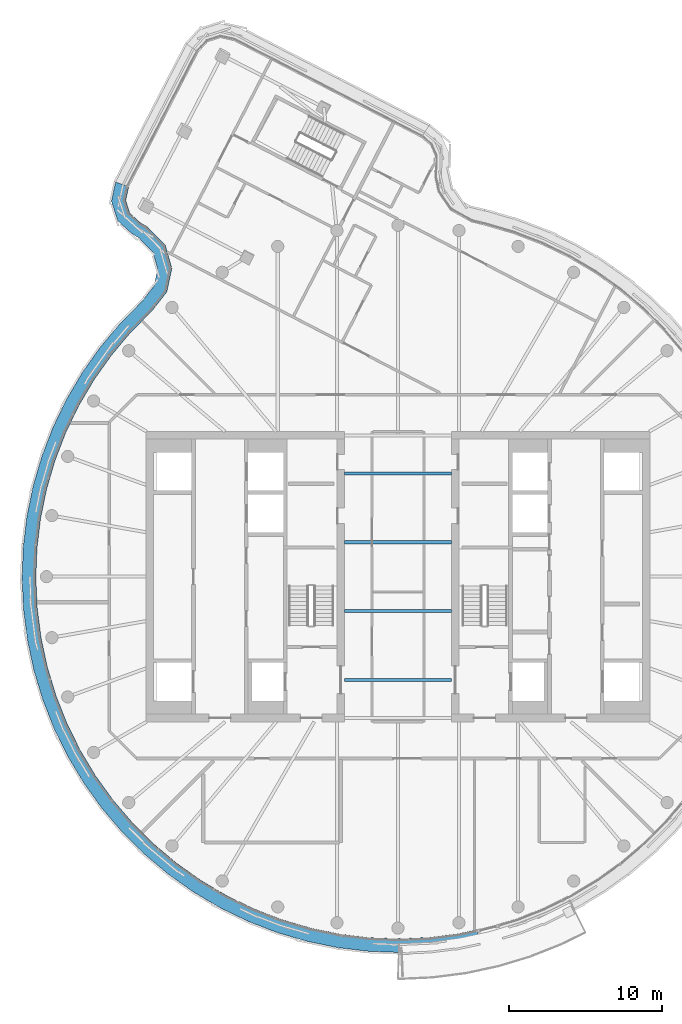
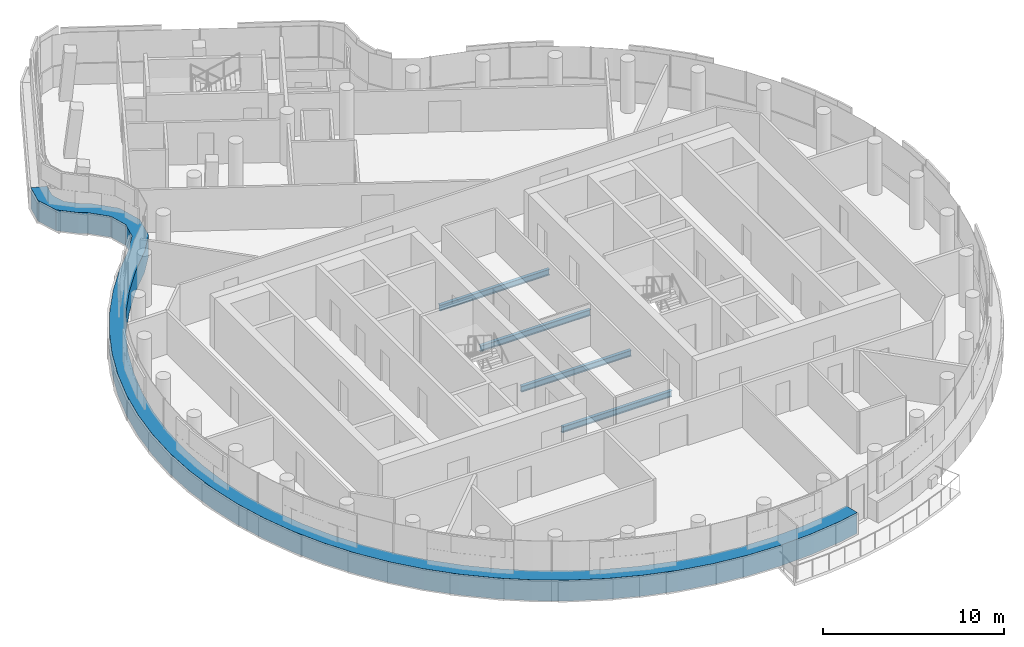
# One storey, part 5 of 21: 4 beams, 1 member, 1 element without a shape of its own.
"""IFC4 building model written with IfcOpenShell, lengths in metres."""

from ifc_helpers import new_model, si_unit, direction, frame, origin, origin_2d, place, context, subcontext, project, spatial, polyline, i_section, outline, extrude, material, layer, layer_set, material_profile, profile_set, type_object, element, aggregate, save


model = new_model("IFC4")

# Units and contexts
model_context = context("Model", 3, precision=1e-05, world=origin(), true_north=direction((0.0, 1.0)))
body_context = subcontext(model_context, "Body", "Model", "MODEL_VIEW")
ifc_project = project(units=[si_unit("LENGTHUNIT", "METRE"), si_unit("AREAUNIT", "SQUARE_METRE"), si_unit("VOLUMEUNIT", "CUBIC_METRE"), si_unit("PLANEANGLEUNIT", "RADIAN"), si_unit("MASSUNIT", "GRAM", prefix="KILO")], contexts=[model_context])

# Site, building, storey
site_placement = place(None, origin())
site = spatial("IfcSite", under=ifc_project, at=site_placement, CompositionType="ELEMENT")
building_placement = place(site_placement, origin())
building = spatial("IfcBuilding", under=site, at=building_placement, Name="Tamarind Cross Interchange Tower", CompositionType="ELEMENT")
storey_placement = place(building_placement, frame((0.0, 0.0, 260.39990234375)))
storey = spatial("IfcBuildingStorey", under=building, at=storey_placement, Name="L66", CompositionType="ELEMENT", Elevation=260.39990234375)

# Beams
ifc_material_1 = material(Name="Steel Q355B", Category="steel")
ifc_material_profile = material_profile(ifc_material_1, i_section(OverallWidth=0.199951171875, OverallDepth=0.39990234375, WebThickness=0.008056640625, FlangeThickness=0.012939453125, FilletRadius=0.01611328125, at=origin_2d()), Name="HN 400x200x8x13")
ifc_profile_set = profile_set([ifc_material_profile], Name="Steel Q355B")
beam_type = type_object("IfcBeamType", Name="Composite beam HN 400x200x8x13 Q355B", PredefinedType="BEAM", material=ifc_profile_set)
for number, where, z_axis, x_axis, name in (
    (1, (-3.5, -2.25, -0.33984375), (1.0, 0.0, 0.0), (0.0, 1.0, 0.0), "Beam G-2.25"),
    (2, (-3.5, -6.75, -0.33984375), (1.0, 0.0, 0.0), (0.0, 1.0, 0.0), "Beam G-6.75"),
    (3, (-3.5, 2.25, -0.33984375), (1.0, 0.0, 0.0), (0.0, 1.0, 0.0), "Beam G2.25"),
    (4, (-3.5, 6.75, -0.33984375), (1.0, 0.0, 0.0), (0.0, 1.0, 0.0), "Beam G6.75"),
):
    element("IfcBeam", number, at=place(storey_placement, frame(where, z_axis=z_axis, x_axis=x_axis)), inside=storey, type_object=beam_type, Name=name, PredefinedType="BEAM", context=body_context, shape_type="SweptSolid", body=[
        extrude(i_section(OverallWidth=0.199951171875, OverallDepth=0.39990234375, WebThickness=0.008056640625, FlangeThickness=0.012939453125, FilletRadius=0.01611328125, at=origin_2d()), origin(), (0.0, 0.0, 1.0), 7.0),
    ])

# Curtain wall, member
ifc_material_2 = material(Name="Aluminium 6063-T6", Category="aluminium")
ifc_layer = layer(ifc_material_2, 0.139892578125)
ifc_layer_set = layer_set([ifc_layer], Name="Aluminium 6063-T6")
curtain_wall_type = type_object("IfcCurtainWallType", Name="Hotel curtain wall, 4.5 m bays", PredefinedType="NOTDEFINED", material=ifc_layer_set)
curtain_wall_placement = place(storey_placement, origin())
curtain_wall = element("IfcCurtainWall", 5, at=curtain_wall_placement, inside=storey, type_object=curtain_wall_type, Name="CWS-L66-01", PredefinedType="NOTDEFINED")
ifc_material_3 = material(Name="Aluminium and insulated spandrel panel", Category="aluminium")
member_type = type_object("IfcMemberType", Name="Floor-edge blade transom", PredefinedType="USERDEFINED", material=ifc_material_3)
member_placement = place(storey_placement, origin())
member = element("IfcMember", 6, at=member_placement, type_object=member_type, Name="CWT-L66-01-0", ObjectType="TRANSOM", PredefinedType="USERDEFINED", context=body_context, shape_type="SweptSolid", body=[
    extrude(outline(polyline([(-17.62109375, 25.516845703125), (-17.81640625, 24.62255859375), (-17.55078125, 23.789306640625), (-16.867431640625, 23.16748046875), (-16.39599609375, 22.889892578125), (-15.227294921875, 21.6943359375), (-14.7939453125, 20.1708984375), (-15.127685546875, 18.63037109375), (-16.1025390625, 17.385498046875), (-17.50244140625, 15.973388671875), (-18.76171875, 14.4736328125), (-19.892822265625, 12.874755859375), (-20.88818359375, 11.188232421875), (-21.74072265625, 9.425048828125), (-22.444580078125, 7.597412109375), (-22.995361328125, 5.718017578125), (-23.38916015625, 3.799560546875), (-23.623046875, 1.855224609375), (-23.695556640625, -0.10205078125), (-23.606201171875, -2.058349609375), (-23.35546875, -4.000732421875), (-22.9453125, -5.915771484375), (-22.37841796875, -7.790283203125), (-21.65869140625, -9.61181640625), (-20.791015625, -11.367431640625), (-19.78125, -13.045654296875), (-18.636474609375, -14.634521484375), (-17.3642578125, -16.12353515625), (-15.973388671875, -17.50244140625), (-14.4736328125, -18.76171875), (-12.874755859375, -19.892822265625), (-11.188232421875, -20.88818359375), (-9.425048828125, -21.74072265625), (-7.597412109375, -22.444580078125), (-5.718017578125, -22.995361328125), (-3.799560546875, -23.38916015625), (-1.855224609375, -23.623046875), (0.10205078125, -23.695556640625), (2.058349609375, -23.606201171875), (4.000732421875, -23.35546875), (5.173095703125, -23.1044921875), (5.36962890625, -23.982666015625), (4.15283203125, -24.243408203125), (2.13671875, -24.50341796875), (0.10595703125, -24.59619140625), (-1.925537109375, -24.52099609375), (-3.944091796875, -24.2783203125), (-5.935302734375, -23.86962890625), (-7.88623046875, -23.2978515625), (-9.783203125, -22.567138671875), (-11.613525390625, -21.68212890625), (-13.3642578125, -20.64892578125), (-15.023681640625, -19.474853515625), (-16.580810546875, -18.167724609375), (-18.0244140625, -16.736572265625), (-19.344970703125, -15.19091796875), (-20.533203125, -13.54150390625), (-21.581298828125, -11.799560546875), (-22.482177734375, -9.97705078125), (-23.229248046875, -8.08642578125), (-23.817626953125, -6.140625), (-24.243408203125, -4.15283203125), (-24.50341796875, -2.13671875), (-24.59619140625, -0.10595703125), (-24.52099609375, 1.925537109375), (-24.2783203125, 3.944091796875), (-23.86962890625, 5.935302734375), (-23.2978515625, 7.88623046875), (-22.567138671875, 9.783203125), (-21.68212890625, 11.613525390625), (-20.64892578125, 13.3642578125), (-19.474853515625, 15.023681640625), (-18.167724609375, 16.580810546875), (-16.778564453125, 17.98193359375), (-15.963623046875, 19.022705078125), (-15.72119140625, 20.141357421875), (-16.030517578125, 21.228515625), (-16.955810546875, 22.175048828125), (-17.404541015625, 22.439208984375), (-18.3349609375, 23.2861328125), (-18.7470703125, 24.578857421875), (-18.475341796875, 25.824462890625), (-17.62109375, 25.516845703125)])), origin(), (0.0, 0.0, 1.0), 1.400146484375),
])
aggregate(curtain_wall, [member])

save(model, "model.ifc")
